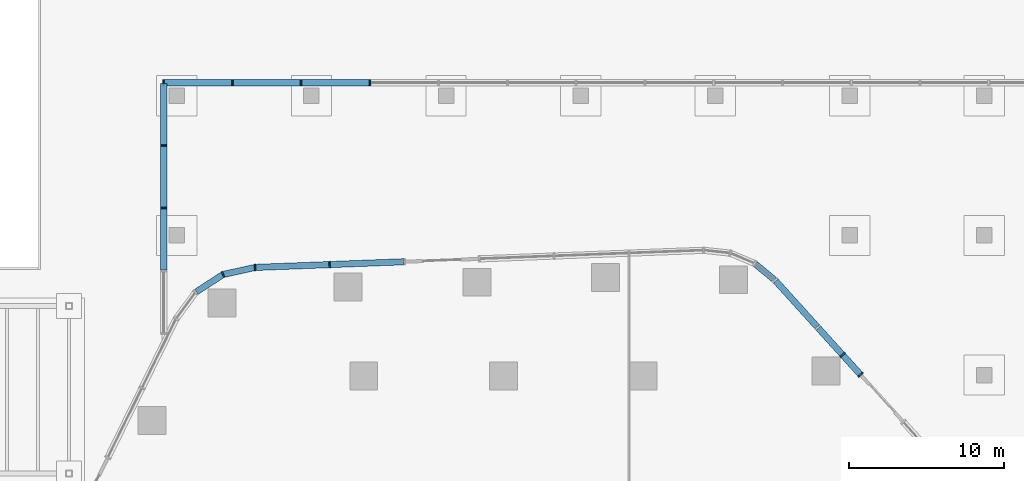
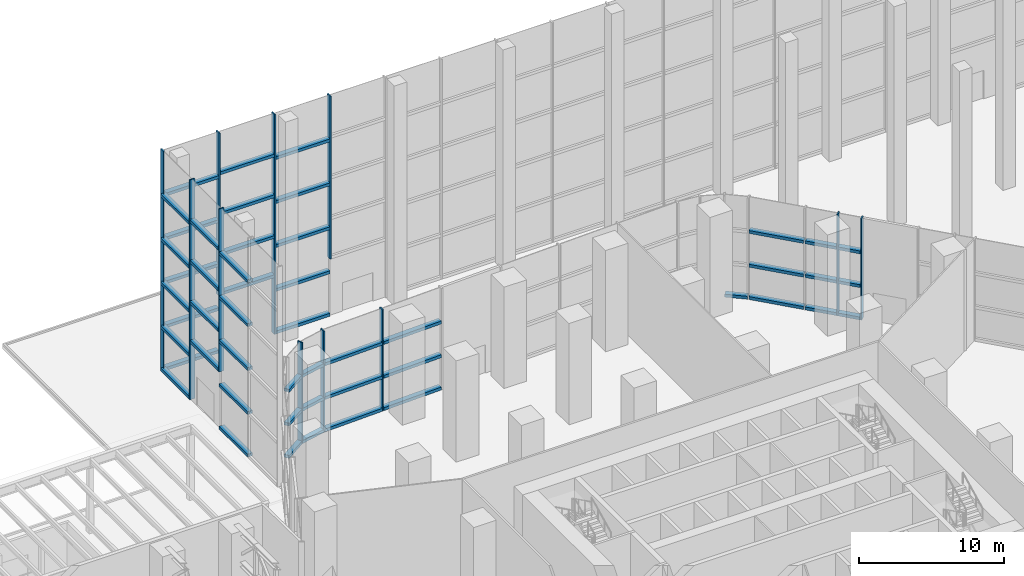
# One storey, part 16 of 40: 61 members, 12 elements without a shape of their own.
"""IFC4 building model written with IfcOpenShell, lengths in metres."""

from ifc_helpers import new_model, si_unit, direction, frame, origin, origin_2d, place, context, subcontext, project, spatial, rectangle, extrude, material, layer, layer_set, material_profile, profile_set, type_object, element, aggregate, save


model = new_model("IFC4")

# Units and contexts
model_context = context("Model", 3, precision=1e-05, world=origin(), true_north=direction((0.0, 1.0)))
body_context = subcontext(model_context, "Body", "Model", "MODEL_VIEW")
ifc_project = project(units=[si_unit("LENGTHUNIT", "METRE"), si_unit("AREAUNIT", "SQUARE_METRE"), si_unit("VOLUMEUNIT", "CUBIC_METRE"), si_unit("PLANEANGLEUNIT", "RADIAN"), si_unit("MASSUNIT", "GRAM", prefix="KILO")], contexts=[model_context])

# Site, building, storey
site_placement = place(None, origin())
site = spatial("IfcSite", under=ifc_project, at=site_placement, CompositionType="ELEMENT")
building_placement = place(site_placement, origin())
building = spatial("IfcBuilding", under=site, at=building_placement, Name="Dongbaek Canopy Tower", CompositionType="ELEMENT")
storey_placement = place(building_placement, origin())
storey = spatial("IfcBuildingStorey", under=building, at=storey_placement, Name="L00", CompositionType="ELEMENT", Elevation=0.0)

# Curtain wall, members
ifc_material_1 = material(Name="Aluminium 6063-T6 pale anodised", Category="aluminium")
ifc_layer = layer(ifc_material_1, 0.39990234375)
ifc_layer_set = layer_set([ifc_layer], Name="CW-3 lobby double-height curtain wall")
curtain_wall_type = type_object("IfcCurtainWallType", Name="CW-3 lobby double-height curtain wall", PredefinedType="NOTDEFINED", material=ifc_layer_set)
curtain_wall_1_placement = place(storey_placement, origin())
curtain_wall_1 = element("IfcCurtainWall", 1, at=curtain_wall_1_placement, inside=storey, type_object=curtain_wall_type, Name="CW-3 curtain wall F5.2a", PredefinedType="NOTDEFINED")
ifc_material_2 = material(Name="Aluminium 6063-T6 pale anodised", Category="aluminium")
ifc_material_profile_1 = material_profile(ifc_material_2, rectangle(XDim=0.39990234375, YDim=0.10009765625, at=origin_2d()), Name="CW-3 mullion 100 x 400")
ifc_profile_set_1 = profile_set([ifc_material_profile_1], Name="Aluminium 6063-T6 pale anodised")
member_type_1 = type_object("IfcMemberType", Name="CW-3 mullion 100 x 400", PredefinedType="MULLION", material=ifc_profile_set_1)
member_1_placement = place(storey_placement, frame((23.036376953125, 27.0673828125, 0.0), z_axis=(0.0, 0.0, 1.0), x_axis=(0.741222237121, 0.671259707711, 0.0)))
member_1 = element("IfcMember", 2, at=member_1_placement, type_object=member_type_1, Name="CW-3 mullion F5.2a.1", PredefinedType="MULLION", context=body_context, shape_type="SweptSolid", body=[
    extrude(rectangle(XDim=0.39990234375, YDim=0.10009765625, at=origin_2d()), origin(), (0.0, 0.0, 1.0), 8.550048828125),
])
member_2_placement = place(storey_placement, frame((21.87548828125, 28.349365234375, 0.0), z_axis=(0.0, 0.0, 1.0), x_axis=(0.741222237121, 0.671259707711, 0.0)))
member_2 = element("IfcMember", 3, at=member_2_placement, type_object=member_type_1, Name="CW-3 mullion F5.2a.2", PredefinedType="MULLION", context=body_context, shape_type="SweptSolid", body=[
    extrude(rectangle(XDim=0.39990234375, YDim=0.10009765625, at=origin_2d()), origin(), (0.0, 0.0, 1.0), 8.550048828125),
])

curtain_wall_2_placement = place(storey_placement, origin())
curtain_wall_2 = element("IfcCurtainWall", 4, at=curtain_wall_2_placement, inside=storey, type_object=curtain_wall_type, Name="CW-3 curtain wall F6.2", PredefinedType="NOTDEFINED")
member_3_placement = place(storey_placement, frame((-11.19677734375, 34.169677734375, 0.0), z_axis=(0.0, 0.0, 1.0), x_axis=(-0.038231975991, 0.999268890746, 0.0)))
member_3 = element("IfcMember", 5, at=member_3_placement, type_object=member_type_1, Name="CW-3 mullion F6.2.2", PredefinedType="MULLION", context=body_context, shape_type="SweptSolid", body=[
    extrude(rectangle(XDim=0.39990234375, YDim=0.10009765625, at=origin_2d()), origin(), (0.0, 0.0, 1.0), 8.550048828125),
])
member_4_placement = place(storey_placement, frame((-16.01171875, 33.9853515625, 0.0), z_axis=(0.0, 0.0, 1.0), x_axis=(-0.038231975991, 0.999268890746, 0.0)))
member_4 = element("IfcMember", 6, at=member_4_placement, type_object=member_type_1, Name="CW-3 mullion F6.2.3", PredefinedType="MULLION", context=body_context, shape_type="SweptSolid", body=[
    extrude(rectangle(XDim=0.39990234375, YDim=0.10009765625, at=origin_2d()), origin(), (0.0, 0.0, 1.0), 8.550048828125),
])

# Curtain wall, member
curtain_wall_3_placement = place(storey_placement, origin())
curtain_wall_3 = element("IfcCurtainWall", 7, at=curtain_wall_3_placement, inside=storey, type_object=curtain_wall_type, Name="CW-3 curtain wall K2.1", PredefinedType="NOTDEFINED")
member_5_placement = place(storey_placement, frame((-18.07421875, 33.529541015625, 0.0), z_axis=(0.0, 0.0, 1.0), x_axis=(-0.386403140373, 0.92232999144, 0.0)))
member_5 = element("IfcMember", 8, at=member_5_placement, type_object=member_type_1, Name="CW-3 mullion K2.1.2", PredefinedType="MULLION", context=body_context, shape_type="SweptSolid", body=[
    extrude(rectangle(XDim=0.39990234375, YDim=0.10009765625, at=origin_2d()), origin(), (0.0, 0.0, 1.0), 8.550048828125),
])

curtain_wall_4_placement = place(storey_placement, origin())
curtain_wall_4 = element("IfcCurtainWall", 9, at=curtain_wall_4_placement, inside=storey, type_object=curtain_wall_type, Name="CW-3 curtain wall HNN.15U", PredefinedType="NOTDEFINED")
member_6_placement = place(storey_placement, frame((-8.60009765625, 45.89990234375, 4.800048828125), z_axis=(0.0, 0.0, 1.0), x_axis=(0.0, 1.0, 0.0)))
member_6 = element("IfcMember", 10, at=member_6_placement, type_object=member_type_1, Name="CW-3 mullion HNN.15U.2", PredefinedType="MULLION", context=body_context, shape_type="SweptSolid", body=[
    extrude(rectangle(XDim=0.39990234375, YDim=0.10009765625, at=origin_2d()), origin(), (0.0, 0.0, 1.0), 13.75),
])
aggregate(curtain_wall_4, [member_6])

curtain_wall_5_placement = place(storey_placement, origin())
curtain_wall_5 = element("IfcCurtainWall", 11, at=curtain_wall_5_placement, inside=storey, type_object=curtain_wall_type, Name="CW-3 curtain wall HNN.4", PredefinedType="NOTDEFINED")
member_7_placement = place(storey_placement, frame((-13.033447265625, 45.89990234375, 0.0), z_axis=(0.0, 0.0, 1.0), x_axis=(0.0, 1.0, 0.0)))
member_7 = element("IfcMember", 12, at=member_7_placement, type_object=member_type_1, Name="CW-3 mullion HNN.4.2", PredefinedType="MULLION", context=body_context, shape_type="SweptSolid", body=[
    extrude(rectangle(XDim=0.39990234375, YDim=0.10009765625, at=origin_2d()), origin(), (0.0, 0.0, 1.0), 18.550048828125),
])

curtain_wall_6_placement = place(storey_placement, origin())
curtain_wall_6 = element("IfcCurtainWall", 13, at=curtain_wall_6_placement, inside=storey, type_object=curtain_wall_type, Name="CW-3 curtain wall HNN.17U", PredefinedType="NOTDEFINED")
member_8_placement = place(storey_placement, frame((-17.466552734375, 45.89990234375, 4.800048828125), z_axis=(0.0, 0.0, 1.0), x_axis=(0.0, 1.0, 0.0)))
member_8 = element("IfcMember", 14, at=member_8_placement, type_object=member_type_1, Name="CW-3 mullion HNN.17U.2", PredefinedType="MULLION", context=body_context, shape_type="SweptSolid", body=[
    extrude(rectangle(XDim=0.39990234375, YDim=0.10009765625, at=origin_2d()), origin(), (0.0, 0.0, 1.0), 13.75),
])

curtain_wall_7_placement = place(storey_placement, origin())
curtain_wall_7 = element("IfcCurtainWall", 15, at=curtain_wall_7_placement, inside=storey, type_object=curtain_wall_type, Name="CW-3 curtain wall HNN.5", PredefinedType="NOTDEFINED")
member_9_placement = place(storey_placement, frame((-21.89990234375, 45.89990234375, 0.0), z_axis=(0.0, 0.0, 1.0), x_axis=(0.0, 1.0, 0.0)))
member_9 = element("IfcMember", 16, at=member_9_placement, type_object=member_type_1, Name="CW-3 mullion HNN.5.2", PredefinedType="MULLION", context=body_context, shape_type="SweptSolid", body=[
    extrude(rectangle(XDim=0.39990234375, YDim=0.10009765625, at=origin_2d()), origin(), (0.0, 0.0, 1.0), 18.550048828125),
])

curtain_wall_8_placement = place(storey_placement, origin())
curtain_wall_8 = element("IfcCurtainWall", 17, at=curtain_wall_8_placement, inside=storey, type_object=curtain_wall_type, Name="CW-3 curtain wall HNW.1", PredefinedType="NOTDEFINED")
member_10_placement = place(storey_placement, frame((-21.89990234375, 41.856201171875, 0.0), z_axis=(0.0, 0.0, 1.0), x_axis=(-1.0, 0.0, 0.0)))
member_10 = element("IfcMember", 18, at=member_10_placement, type_object=member_type_1, Name="CW-3 mullion HNW.1.2", PredefinedType="MULLION", context=body_context, shape_type="SweptSolid", body=[
    extrude(rectangle(XDim=0.39990234375, YDim=0.10009765625, at=origin_2d()), origin(), (0.0, 0.0, 1.0), 18.550048828125),
])

curtain_wall_9_placement = place(storey_placement, origin())
curtain_wall_9 = element("IfcCurtainWall", 19, at=curtain_wall_9_placement, inside=storey, type_object=curtain_wall_type, Name="CW-3 curtain wall HNW.2U", PredefinedType="NOTDEFINED")
member_11_placement = place(storey_placement, frame((-21.89990234375, 37.8125, 4.800048828125), z_axis=(0.0, 0.0, 1.0), x_axis=(-1.0, 0.0, 0.0)))
member_11 = element("IfcMember", 20, at=member_11_placement, type_object=member_type_1, Name="CW-3 mullion HNW.2U.2", PredefinedType="MULLION", context=body_context, shape_type="SweptSolid", body=[
    extrude(rectangle(XDim=0.39990234375, YDim=0.10009765625, at=origin_2d()), origin(), (0.0, 0.0, 1.0), 13.75),
])

# Member
ifc_material_3 = material(Name="Aluminium 6063-T6 pale anodised", Category="aluminium")
ifc_material_profile_2 = material_profile(ifc_material_3, rectangle(XDim=0.39990234375, YDim=0.25, at=origin_2d()), Name="CW-3 transom 250 x 400")
ifc_profile_set_2 = profile_set([ifc_material_profile_2], Name="Aluminium 6063-T6 pale anodised")
member_type_2 = type_object("IfcMemberType", Name="CW-3 transom 250 x 400", PredefinedType="USERDEFINED", material=ifc_profile_set_2)
member_12_placement = place(storey_placement, frame((22.99462890625, 27.113525390625, 0.125), z_axis=(-0.671263668676, 0.741218650006, 0.0), x_axis=(-0.741218650006, -0.671263668676, 0.0)))
member_12 = element("IfcMember", 21, at=member_12_placement, type_object=member_type_2, Name="CW-3 transom F5.2a.1.1", ObjectType="TRANSOM", PredefinedType="USERDEFINED", context=body_context, shape_type="SweptSolid", body=[
    extrude(rectangle(XDim=0.39990234375, YDim=0.25, at=origin_2d()), origin(), (0.0, 0.0, 1.0), 1.60546875),
])

member_13_placement = place(storey_placement, frame((22.99462890625, 27.113525390625, 2.85009765625), z_axis=(-0.671263668676, 0.741218650006, 0.0), x_axis=(-0.741218650006, -0.671263668676, 0.0)))
member_13 = element("IfcMember", 22, at=member_13_placement, type_object=member_type_2, Name="CW-3 transom F5.2a.1.2", ObjectType="TRANSOM", PredefinedType="USERDEFINED", context=body_context, shape_type="SweptSolid", body=[
    extrude(rectangle(XDim=0.39990234375, YDim=0.25, at=origin_2d()), origin(), (0.0, 0.0, 1.0), 1.60546875),
])

member_14_placement = place(storey_placement, frame((22.99462890625, 27.113525390625, 5.699951171875), z_axis=(-0.671263668676, 0.741218650006, 0.0), x_axis=(-0.741218650006, -0.671263668676, 0.0)))
member_14 = element("IfcMember", 23, at=member_14_placement, type_object=member_type_2, Name="CW-3 transom F5.2a.1.3", ObjectType="TRANSOM", PredefinedType="USERDEFINED", context=body_context, shape_type="SweptSolid", body=[
    extrude(rectangle(XDim=0.39990234375, YDim=0.25, at=origin_2d()), origin(), (0.0, 0.0, 1.0), 1.60546875),
])

aggregate(curtain_wall_1, [member_1, member_2, member_12, member_13, member_14])

# Curtain wall, members
curtain_wall_10_placement = place(storey_placement, origin())
curtain_wall_10 = element("IfcCurtainWall", 24, at=curtain_wall_10_placement, inside=storey, type_object=curtain_wall_type, Name="CW-3 curtain wall F5.2b", PredefinedType="NOTDEFINED")
member_15_placement = place(storey_placement, frame((21.83203125, 28.3974609375, 0.125), z_axis=(-0.671273812961, 0.741209462995, 0.0), x_axis=(-0.741209462995, -0.671273812961, 0.0)))
member_15 = element("IfcMember", 25, at=member_15_placement, type_object=member_type_2, Name="CW-3 transom F5.2b.1.1", ObjectType="TRANSOM", PredefinedType="USERDEFINED", context=body_context, shape_type="SweptSolid", body=[
    extrude(rectangle(XDim=0.39990234375, YDim=0.25, at=origin_2d()), origin(), (0.0, 0.0, 1.0), 2.251708984375),
])
member_16_placement = place(storey_placement, frame((21.83203125, 28.3974609375, 2.85009765625), z_axis=(-0.671273812961, 0.741209462995, 0.0), x_axis=(-0.741209462995, -0.671273812961, 0.0)))
member_16 = element("IfcMember", 26, at=member_16_placement, type_object=member_type_2, Name="CW-3 transom F5.2b.1.2", ObjectType="TRANSOM", PredefinedType="USERDEFINED", context=body_context, shape_type="SweptSolid", body=[
    extrude(rectangle(XDim=0.39990234375, YDim=0.25, at=origin_2d()), origin(), (0.0, 0.0, 1.0), 2.251708984375),
])
member_17_placement = place(storey_placement, frame((21.83203125, 28.3974609375, 5.699951171875), z_axis=(-0.671273812961, 0.741209462995, 0.0), x_axis=(-0.741209462995, -0.671273812961, 0.0)))
member_17 = element("IfcMember", 27, at=member_17_placement, type_object=member_type_2, Name="CW-3 transom F5.2b.1.3", ObjectType="TRANSOM", PredefinedType="USERDEFINED", context=body_context, shape_type="SweptSolid", body=[
    extrude(rectangle(XDim=0.39990234375, YDim=0.25, at=origin_2d()), origin(), (0.0, 0.0, 1.0), 2.251708984375),
])
member_18_placement = place(storey_placement, frame((20.2373046875, 30.158203125, 0.125), z_axis=(-0.671278159845, 0.741205526231, 0.0), x_axis=(-0.741205526231, -0.671278159845, 0.0)))
member_18 = element("IfcMember", 28, at=member_18_placement, type_object=member_type_2, Name="CW-3 transom F5.2b.2.1", ObjectType="TRANSOM", PredefinedType="USERDEFINED", context=body_context, shape_type="SweptSolid", body=[
    extrude(rectangle(XDim=0.39990234375, YDim=0.25, at=origin_2d()), origin(), (0.0, 0.0, 1.0), 3.9765625),
])
member_19_placement = place(storey_placement, frame((20.2373046875, 30.158203125, 2.85009765625), z_axis=(-0.671278159845, 0.741205526231, 0.0), x_axis=(-0.741205526231, -0.671278159845, 0.0)))
member_19 = element("IfcMember", 29, at=member_19_placement, type_object=member_type_2, Name="CW-3 transom F5.2b.2.2", ObjectType="TRANSOM", PredefinedType="USERDEFINED", context=body_context, shape_type="SweptSolid", body=[
    extrude(rectangle(XDim=0.39990234375, YDim=0.25, at=origin_2d()), origin(), (0.0, 0.0, 1.0), 3.9765625),
])
member_20_placement = place(storey_placement, frame((20.2373046875, 30.158203125, 5.699951171875), z_axis=(-0.671278159845, 0.741205526231, 0.0), x_axis=(-0.741205526231, -0.671278159845, 0.0)))
member_20 = element("IfcMember", 30, at=member_20_placement, type_object=member_type_2, Name="CW-3 transom F5.2b.2.3", ObjectType="TRANSOM", PredefinedType="USERDEFINED", context=body_context, shape_type="SweptSolid", body=[
    extrude(rectangle(XDim=0.39990234375, YDim=0.25, at=origin_2d()), origin(), (0.0, 0.0, 1.0), 3.9765625),
])
aggregate(curtain_wall_10, [member_15, member_16, member_17, member_18, member_19, member_20])

# Curtain wall, member
curtain_wall_11_placement = place(storey_placement, origin())
curtain_wall_11 = element("IfcCurtainWall", 31, at=curtain_wall_11_placement, inside=storey, type_object=curtain_wall_type, Name="CW-3 curtain wall K1.1", PredefinedType="NOTDEFINED")
member_21_placement = place(storey_placement, frame((17.478515625, 33.191162109375, 0.125), z_axis=(-0.771687045079, 0.636002440606, 0.0), x_axis=(-0.636002440606, -0.771687045079, 0.0)))
member_21 = element("IfcMember", 32, at=member_21_placement, type_object=member_type_2, Name="CW-3 transom K1.1.1.1", ObjectType="TRANSOM", PredefinedType="USERDEFINED", context=body_context, shape_type="SweptSolid", body=[
    extrude(rectangle(XDim=0.39990234375, YDim=0.25, at=origin_2d()), origin(), (0.0, 0.0, 1.0), 1.59423828125),
])
aggregate(curtain_wall_11, [member_21])

# Member
member_22_placement = place(storey_placement, frame((-6.434814453125, 34.351806640625, 0.125), z_axis=(-0.999269965697, -0.038203869656, 0.0), x_axis=(0.038203869656, -0.999269965697, 0.0)))
member_22 = element("IfcMember", 33, at=member_22_placement, type_object=member_type_2, Name="CW-3 transom F6.2.1.1", ObjectType="TRANSOM", PredefinedType="USERDEFINED", context=body_context, shape_type="SweptSolid", body=[
    extrude(rectangle(XDim=0.39990234375, YDim=0.25, at=origin_2d()), origin(), (0.0, 0.0, 1.0), 4.703369140625),
])

member_23_placement = place(storey_placement, frame((-6.434814453125, 34.351806640625, 2.85009765625), z_axis=(-0.999269965697, -0.038203869656, 0.0), x_axis=(0.038203869656, -0.999269965697, 0.0)))
member_23 = element("IfcMember", 34, at=member_23_placement, type_object=member_type_2, Name="CW-3 transom F6.2.1.2", ObjectType="TRANSOM", PredefinedType="USERDEFINED", context=body_context, shape_type="SweptSolid", body=[
    extrude(rectangle(XDim=0.39990234375, YDim=0.25, at=origin_2d()), origin(), (0.0, 0.0, 1.0), 4.703369140625),
])

member_24_placement = place(storey_placement, frame((-6.434814453125, 34.351806640625, 5.699951171875), z_axis=(-0.999269965697, -0.038203869656, 0.0), x_axis=(0.038203869656, -0.999269965697, 0.0)))
member_24 = element("IfcMember", 35, at=member_24_placement, type_object=member_type_2, Name="CW-3 transom F6.2.1.3", ObjectType="TRANSOM", PredefinedType="USERDEFINED", context=body_context, shape_type="SweptSolid", body=[
    extrude(rectangle(XDim=0.39990234375, YDim=0.25, at=origin_2d()), origin(), (0.0, 0.0, 1.0), 4.703369140625),
])

member_25_placement = place(storey_placement, frame((-11.2587890625, 34.167236328125, 0.125), z_axis=(-0.999269142353, -0.038225399169, 0.0), x_axis=(0.038225399169, -0.999269142353, 0.0)))
member_25 = element("IfcMember", 36, at=member_25_placement, type_object=member_type_2, Name="CW-3 transom F6.2.2.1", ObjectType="TRANSOM", PredefinedType="USERDEFINED", context=body_context, shape_type="SweptSolid", body=[
    extrude(rectangle(XDim=0.39990234375, YDim=0.25, at=origin_2d()), origin(), (0.0, 0.0, 1.0), 4.6943359375),
])

member_26_placement = place(storey_placement, frame((-11.2587890625, 34.167236328125, 2.85009765625), z_axis=(-0.999269142353, -0.038225399169, 0.0), x_axis=(0.038225399169, -0.999269142353, 0.0)))
member_26 = element("IfcMember", 37, at=member_26_placement, type_object=member_type_2, Name="CW-3 transom F6.2.2.2", ObjectType="TRANSOM", PredefinedType="USERDEFINED", context=body_context, shape_type="SweptSolid", body=[
    extrude(rectangle(XDim=0.39990234375, YDim=0.25, at=origin_2d()), origin(), (0.0, 0.0, 1.0), 4.6943359375),
])

member_27_placement = place(storey_placement, frame((-11.2587890625, 34.167236328125, 5.699951171875), z_axis=(-0.999269142353, -0.038225399169, 0.0), x_axis=(0.038225399169, -0.999269142353, 0.0)))
member_27 = element("IfcMember", 38, at=member_27_placement, type_object=member_type_2, Name="CW-3 transom F6.2.2.3", ObjectType="TRANSOM", PredefinedType="USERDEFINED", context=body_context, shape_type="SweptSolid", body=[
    extrude(rectangle(XDim=0.39990234375, YDim=0.25, at=origin_2d()), origin(), (0.0, 0.0, 1.0), 4.6943359375),
])

aggregate(curtain_wall_2, [member_3, member_4, member_22, member_23, member_24, member_25, member_26, member_27])

member_28_placement = place(storey_placement, frame((-16.072265625, 33.971923828125, 0.125), z_axis=(-0.976449264495, -0.21574715263, 0.0), x_axis=(0.21574715263, -0.976449264495, 0.0)))
member_28 = element("IfcMember", 39, at=member_28_placement, type_object=member_type_2, Name="CW-3 transom K2.1.1.1", ObjectType="TRANSOM", PredefinedType="USERDEFINED", context=body_context, shape_type="SweptSolid", body=[
    extrude(rectangle(XDim=0.39990234375, YDim=0.25, at=origin_2d()), origin(), (0.0, 0.0, 1.0), 1.98828125),
])

member_29_placement = place(storey_placement, frame((-16.072265625, 33.971923828125, 2.85009765625), z_axis=(-0.976449264495, -0.21574715263, 0.0), x_axis=(0.21574715263, -0.976449264495, 0.0)))
member_29 = element("IfcMember", 40, at=member_29_placement, type_object=member_type_2, Name="CW-3 transom K2.1.1.2", ObjectType="TRANSOM", PredefinedType="USERDEFINED", context=body_context, shape_type="SweptSolid", body=[
    extrude(rectangle(XDim=0.39990234375, YDim=0.25, at=origin_2d()), origin(), (0.0, 0.0, 1.0), 1.98828125),
])

member_30_placement = place(storey_placement, frame((-16.072265625, 33.971923828125, 5.699951171875), z_axis=(-0.976449264495, -0.21574715263, 0.0), x_axis=(0.21574715263, -0.976449264495, 0.0)))
member_30 = element("IfcMember", 41, at=member_30_placement, type_object=member_type_2, Name="CW-3 transom K2.1.1.3", ObjectType="TRANSOM", PredefinedType="USERDEFINED", context=body_context, shape_type="SweptSolid", body=[
    extrude(rectangle(XDim=0.39990234375, YDim=0.25, at=origin_2d()), origin(), (0.0, 0.0, 1.0), 1.98828125),
])

member_31_placement = place(storey_placement, frame((-18.126220703125, 33.495849609375, 0.125), z_axis=(-0.838688723335, -0.544611077147, 0.0), x_axis=(0.544611077147, -0.838688723335, 0.0)))
member_31 = element("IfcMember", 42, at=member_31_placement, type_object=member_type_2, Name="CW-3 transom K2.1.2.1", ObjectType="TRANSOM", PredefinedType="USERDEFINED", context=body_context, shape_type="SweptSolid", body=[
    extrude(rectangle(XDim=0.39990234375, YDim=0.25, at=origin_2d()), origin(), (0.0, 0.0, 1.0), 1.979248046875),
])

member_32_placement = place(storey_placement, frame((-18.126220703125, 33.495849609375, 2.85009765625), z_axis=(-0.838688723335, -0.544611077147, 0.0), x_axis=(0.544611077147, -0.838688723335, 0.0)))
member_32 = element("IfcMember", 43, at=member_32_placement, type_object=member_type_2, Name="CW-3 transom K2.1.2.2", ObjectType="TRANSOM", PredefinedType="USERDEFINED", context=body_context, shape_type="SweptSolid", body=[
    extrude(rectangle(XDim=0.39990234375, YDim=0.25, at=origin_2d()), origin(), (0.0, 0.0, 1.0), 1.979248046875),
])

member_33_placement = place(storey_placement, frame((-18.126220703125, 33.495849609375, 5.699951171875), z_axis=(-0.838688723335, -0.544611077147, 0.0), x_axis=(0.544611077147, -0.838688723335, 0.0)))
member_33 = element("IfcMember", 44, at=member_33_placement, type_object=member_type_2, Name="CW-3 transom K2.1.2.3", ObjectType="TRANSOM", PredefinedType="USERDEFINED", context=body_context, shape_type="SweptSolid", body=[
    extrude(rectangle(XDim=0.39990234375, YDim=0.25, at=origin_2d()), origin(), (0.0, 0.0, 1.0), 1.979248046875),
])

aggregate(curtain_wall_3, [member_5, member_28, member_29, member_30, member_31, member_32, member_33])

member_34_placement = place(storey_placement, frame((-8.662109375, 45.89990234375, 0.125), z_axis=(-1.0, 0.0, 0.0), x_axis=(0.0, -1.0, 0.0)))
member_34 = element("IfcMember", 45, at=member_34_placement, type_object=member_type_2, Name="CW-3 transom HNN.4.1.1", ObjectType="TRANSOM", PredefinedType="USERDEFINED", context=body_context, shape_type="SweptSolid", body=[
    extrude(rectangle(XDim=0.39990234375, YDim=0.25, at=origin_2d()), origin(), (0.0, 0.0, 1.0), 4.309326171875),
])

member_35_placement = place(storey_placement, frame((-8.662109375, 45.89990234375, 3.7099609375), z_axis=(-1.0, 0.0, 0.0), x_axis=(0.0, -1.0, 0.0)))
member_35 = element("IfcMember", 46, at=member_35_placement, type_object=member_type_2, Name="CW-3 transom HNN.4.1.2", ObjectType="TRANSOM", PredefinedType="USERDEFINED", context=body_context, shape_type="SweptSolid", body=[
    extrude(rectangle(XDim=0.39990234375, YDim=0.25, at=origin_2d()), origin(), (0.0, 0.0, 1.0), 4.309326171875),
])

member_36_placement = place(storey_placement, frame((-8.662109375, 45.89990234375, 7.419921875), z_axis=(-1.0, 0.0, 0.0), x_axis=(0.0, -1.0, 0.0)))
member_36 = element("IfcMember", 47, at=member_36_placement, type_object=member_type_2, Name="CW-3 transom HNN.4.1.3", ObjectType="TRANSOM", PredefinedType="USERDEFINED", context=body_context, shape_type="SweptSolid", body=[
    extrude(rectangle(XDim=0.39990234375, YDim=0.25, at=origin_2d()), origin(), (0.0, 0.0, 1.0), 4.309326171875),
])

member_37_placement = place(storey_placement, frame((-8.662109375, 45.89990234375, 11.1298828125), z_axis=(-1.0, 0.0, 0.0), x_axis=(0.0, -1.0, 0.0)))
member_37 = element("IfcMember", 48, at=member_37_placement, type_object=member_type_2, Name="CW-3 transom HNN.4.1.4", ObjectType="TRANSOM", PredefinedType="USERDEFINED", context=body_context, shape_type="SweptSolid", body=[
    extrude(rectangle(XDim=0.39990234375, YDim=0.25, at=origin_2d()), origin(), (0.0, 0.0, 1.0), 4.309326171875),
])

member_38_placement = place(storey_placement, frame((-8.662109375, 45.89990234375, 14.840087890625), z_axis=(-1.0, 0.0, 0.0), x_axis=(0.0, -1.0, 0.0)))
member_38 = element("IfcMember", 49, at=member_38_placement, type_object=member_type_2, Name="CW-3 transom HNN.4.1.5", ObjectType="TRANSOM", PredefinedType="USERDEFINED", context=body_context, shape_type="SweptSolid", body=[
    extrude(rectangle(XDim=0.39990234375, YDim=0.25, at=origin_2d()), origin(), (0.0, 0.0, 1.0), 4.309326171875),
])

aggregate(curtain_wall_5, [member_7, member_34, member_35, member_36, member_37, member_38])

member_39_placement = place(storey_placement, frame((-13.09521484375, 45.89990234375, 4.925048828125), z_axis=(-1.0, 0.0, 0.0), x_axis=(0.0, -1.0, 0.0)))
member_39 = element("IfcMember", 50, at=member_39_placement, type_object=member_type_2, Name="CW-3 transom HNN.17U.1.1", ObjectType="TRANSOM", PredefinedType="USERDEFINED", context=body_context, shape_type="SweptSolid", body=[
    extrude(rectangle(XDim=0.39990234375, YDim=0.25, at=origin_2d()), origin(), (0.0, 0.0, 1.0), 4.3095703125),
])

member_40_placement = place(storey_placement, frame((-13.09521484375, 45.89990234375, 8.237548828125), z_axis=(-1.0, 0.0, 0.0), x_axis=(0.0, -1.0, 0.0)))
member_40 = element("IfcMember", 51, at=member_40_placement, type_object=member_type_2, Name="CW-3 transom HNN.17U.1.2", ObjectType="TRANSOM", PredefinedType="USERDEFINED", context=body_context, shape_type="SweptSolid", body=[
    extrude(rectangle(XDim=0.39990234375, YDim=0.25, at=origin_2d()), origin(), (0.0, 0.0, 1.0), 4.3095703125),
])

member_41_placement = place(storey_placement, frame((-13.09521484375, 45.89990234375, 11.675048828125), z_axis=(-1.0, 0.0, 0.0), x_axis=(0.0, -1.0, 0.0)))
member_41 = element("IfcMember", 52, at=member_41_placement, type_object=member_type_2, Name="CW-3 transom HNN.17U.1.3", ObjectType="TRANSOM", PredefinedType="USERDEFINED", context=body_context, shape_type="SweptSolid", body=[
    extrude(rectangle(XDim=0.39990234375, YDim=0.25, at=origin_2d()), origin(), (0.0, 0.0, 1.0), 4.3095703125),
])

member_42_placement = place(storey_placement, frame((-13.09521484375, 45.89990234375, 15.112548828125), z_axis=(-1.0, 0.0, 0.0), x_axis=(0.0, -1.0, 0.0)))
member_42 = element("IfcMember", 53, at=member_42_placement, type_object=member_type_2, Name="CW-3 transom HNN.17U.1.4", ObjectType="TRANSOM", PredefinedType="USERDEFINED", context=body_context, shape_type="SweptSolid", body=[
    extrude(rectangle(XDim=0.39990234375, YDim=0.25, at=origin_2d()), origin(), (0.0, 0.0, 1.0), 4.3095703125),
])

aggregate(curtain_wall_6, [member_8, member_39, member_40, member_41, member_42])

member_43_placement = place(storey_placement, frame((-17.528564453125, 45.89990234375, 0.125), z_axis=(-1.0, 0.0, 0.0), x_axis=(0.0, -1.0, 0.0)))
member_43 = element("IfcMember", 54, at=member_43_placement, type_object=member_type_2, Name="CW-3 transom HNN.5.1.1", ObjectType="TRANSOM", PredefinedType="USERDEFINED", context=body_context, shape_type="SweptSolid", body=[
    extrude(rectangle(XDim=0.39990234375, YDim=0.25, at=origin_2d()), origin(), (0.0, 0.0, 1.0), 4.309326171875),
])

member_44_placement = place(storey_placement, frame((-17.528564453125, 45.89990234375, 3.7099609375), z_axis=(-1.0, 0.0, 0.0), x_axis=(0.0, -1.0, 0.0)))
member_44 = element("IfcMember", 55, at=member_44_placement, type_object=member_type_2, Name="CW-3 transom HNN.5.1.2", ObjectType="TRANSOM", PredefinedType="USERDEFINED", context=body_context, shape_type="SweptSolid", body=[
    extrude(rectangle(XDim=0.39990234375, YDim=0.25, at=origin_2d()), origin(), (0.0, 0.0, 1.0), 4.309326171875),
])

member_45_placement = place(storey_placement, frame((-17.528564453125, 45.89990234375, 7.419921875), z_axis=(-1.0, 0.0, 0.0), x_axis=(0.0, -1.0, 0.0)))
member_45 = element("IfcMember", 56, at=member_45_placement, type_object=member_type_2, Name="CW-3 transom HNN.5.1.3", ObjectType="TRANSOM", PredefinedType="USERDEFINED", context=body_context, shape_type="SweptSolid", body=[
    extrude(rectangle(XDim=0.39990234375, YDim=0.25, at=origin_2d()), origin(), (0.0, 0.0, 1.0), 4.309326171875),
])

member_46_placement = place(storey_placement, frame((-17.528564453125, 45.89990234375, 11.1298828125), z_axis=(-1.0, 0.0, 0.0), x_axis=(0.0, -1.0, 0.0)))
member_46 = element("IfcMember", 57, at=member_46_placement, type_object=member_type_2, Name="CW-3 transom HNN.5.1.4", ObjectType="TRANSOM", PredefinedType="USERDEFINED", context=body_context, shape_type="SweptSolid", body=[
    extrude(rectangle(XDim=0.39990234375, YDim=0.25, at=origin_2d()), origin(), (0.0, 0.0, 1.0), 4.309326171875),
])

member_47_placement = place(storey_placement, frame((-17.528564453125, 45.89990234375, 14.840087890625), z_axis=(-1.0, 0.0, 0.0), x_axis=(0.0, -1.0, 0.0)))
member_47 = element("IfcMember", 58, at=member_47_placement, type_object=member_type_2, Name="CW-3 transom HNN.5.1.5", ObjectType="TRANSOM", PredefinedType="USERDEFINED", context=body_context, shape_type="SweptSolid", body=[
    extrude(rectangle(XDim=0.39990234375, YDim=0.25, at=origin_2d()), origin(), (0.0, 0.0, 1.0), 4.309326171875),
])

aggregate(curtain_wall_7, [member_9, member_43, member_44, member_45, member_46, member_47])

member_48_placement = place(storey_placement, frame((-21.89990234375, 45.837890625, 0.125), z_axis=(0.0, -1.0, 0.0), x_axis=(1.0, 0.0, 0.0)))
member_48 = element("IfcMember", 59, at=member_48_placement, type_object=member_type_2, Name="CW-3 transom HNW.1.1.1", ObjectType="TRANSOM", PredefinedType="USERDEFINED", context=body_context, shape_type="SweptSolid", body=[
    extrude(rectangle(XDim=0.39990234375, YDim=0.25, at=origin_2d()), origin(), (0.0, 0.0, 1.0), 3.919677734375),
])

member_49_placement = place(storey_placement, frame((-21.89990234375, 45.837890625, 3.7099609375), z_axis=(0.0, -1.0, 0.0), x_axis=(1.0, 0.0, 0.0)))
member_49 = element("IfcMember", 60, at=member_49_placement, type_object=member_type_2, Name="CW-3 transom HNW.1.1.2", ObjectType="TRANSOM", PredefinedType="USERDEFINED", context=body_context, shape_type="SweptSolid", body=[
    extrude(rectangle(XDim=0.39990234375, YDim=0.25, at=origin_2d()), origin(), (0.0, 0.0, 1.0), 3.919677734375),
])

member_50_placement = place(storey_placement, frame((-21.89990234375, 45.837890625, 7.419921875), z_axis=(0.0, -1.0, 0.0), x_axis=(1.0, 0.0, 0.0)))
member_50 = element("IfcMember", 61, at=member_50_placement, type_object=member_type_2, Name="CW-3 transom HNW.1.1.3", ObjectType="TRANSOM", PredefinedType="USERDEFINED", context=body_context, shape_type="SweptSolid", body=[
    extrude(rectangle(XDim=0.39990234375, YDim=0.25, at=origin_2d()), origin(), (0.0, 0.0, 1.0), 3.919677734375),
])

member_51_placement = place(storey_placement, frame((-21.89990234375, 45.837890625, 11.1298828125), z_axis=(0.0, -1.0, 0.0), x_axis=(1.0, 0.0, 0.0)))
member_51 = element("IfcMember", 62, at=member_51_placement, type_object=member_type_2, Name="CW-3 transom HNW.1.1.4", ObjectType="TRANSOM", PredefinedType="USERDEFINED", context=body_context, shape_type="SweptSolid", body=[
    extrude(rectangle(XDim=0.39990234375, YDim=0.25, at=origin_2d()), origin(), (0.0, 0.0, 1.0), 3.919677734375),
])

member_52_placement = place(storey_placement, frame((-21.89990234375, 45.837890625, 14.840087890625), z_axis=(0.0, -1.0, 0.0), x_axis=(1.0, 0.0, 0.0)))
member_52 = element("IfcMember", 63, at=member_52_placement, type_object=member_type_2, Name="CW-3 transom HNW.1.1.5", ObjectType="TRANSOM", PredefinedType="USERDEFINED", context=body_context, shape_type="SweptSolid", body=[
    extrude(rectangle(XDim=0.39990234375, YDim=0.25, at=origin_2d()), origin(), (0.0, 0.0, 1.0), 3.919677734375),
])

aggregate(curtain_wall_8, [member_10, member_48, member_49, member_50, member_51, member_52])

member_53_placement = place(storey_placement, frame((-21.89990234375, 41.794189453125, 4.925048828125), z_axis=(0.0, -1.0, 0.0), x_axis=(1.0, 0.0, 0.0)))
member_53 = element("IfcMember", 64, at=member_53_placement, type_object=member_type_2, Name="CW-3 transom HNW.2U.1.1", ObjectType="TRANSOM", PredefinedType="USERDEFINED", context=body_context, shape_type="SweptSolid", body=[
    extrude(rectangle(XDim=0.39990234375, YDim=0.25, at=origin_2d()), origin(), (0.0, 0.0, 1.0), 3.919677734375),
])

member_54_placement = place(storey_placement, frame((-21.89990234375, 41.794189453125, 8.237548828125), z_axis=(0.0, -1.0, 0.0), x_axis=(1.0, 0.0, 0.0)))
member_54 = element("IfcMember", 65, at=member_54_placement, type_object=member_type_2, Name="CW-3 transom HNW.2U.1.2", ObjectType="TRANSOM", PredefinedType="USERDEFINED", context=body_context, shape_type="SweptSolid", body=[
    extrude(rectangle(XDim=0.39990234375, YDim=0.25, at=origin_2d()), origin(), (0.0, 0.0, 1.0), 3.919677734375),
])

member_55_placement = place(storey_placement, frame((-21.89990234375, 41.794189453125, 11.675048828125), z_axis=(0.0, -1.0, 0.0), x_axis=(1.0, 0.0, 0.0)))
member_55 = element("IfcMember", 66, at=member_55_placement, type_object=member_type_2, Name="CW-3 transom HNW.2U.1.3", ObjectType="TRANSOM", PredefinedType="USERDEFINED", context=body_context, shape_type="SweptSolid", body=[
    extrude(rectangle(XDim=0.39990234375, YDim=0.25, at=origin_2d()), origin(), (0.0, 0.0, 1.0), 3.919677734375),
])

member_56_placement = place(storey_placement, frame((-21.89990234375, 41.794189453125, 15.112548828125), z_axis=(0.0, -1.0, 0.0), x_axis=(1.0, 0.0, 0.0)))
member_56 = element("IfcMember", 67, at=member_56_placement, type_object=member_type_2, Name="CW-3 transom HNW.2U.1.4", ObjectType="TRANSOM", PredefinedType="USERDEFINED", context=body_context, shape_type="SweptSolid", body=[
    extrude(rectangle(XDim=0.39990234375, YDim=0.25, at=origin_2d()), origin(), (0.0, 0.0, 1.0), 3.919677734375),
])

aggregate(curtain_wall_9, [member_11, member_53, member_54, member_55, member_56])

# Curtain wall, members
curtain_wall_12_placement = place(storey_placement, origin())
curtain_wall_12 = element("IfcCurtainWall", 68, at=curtain_wall_12_placement, inside=storey, type_object=curtain_wall_type, Name="CW-3 curtain wall HNW.2", PredefinedType="NOTDEFINED")
member_57_placement = place(storey_placement, frame((-21.89990234375, 37.75048828125, 0.125), z_axis=(0.0, -1.0, 0.0), x_axis=(1.0, 0.0, 0.0)))
member_57 = element("IfcMember", 69, at=member_57_placement, type_object=member_type_2, Name="CW-3 transom HNW.2.1.1", ObjectType="TRANSOM", PredefinedType="USERDEFINED", context=body_context, shape_type="SweptSolid", body=[
    extrude(rectangle(XDim=0.39990234375, YDim=0.25, at=origin_2d()), origin(), (0.0, 0.0, 1.0), 3.919677734375),
])
member_58_placement = place(storey_placement, frame((-21.89990234375, 37.75048828125, 3.7099609375), z_axis=(0.0, -1.0, 0.0), x_axis=(1.0, 0.0, 0.0)))
member_58 = element("IfcMember", 70, at=member_58_placement, type_object=member_type_2, Name="CW-3 transom HNW.2.1.2", ObjectType="TRANSOM", PredefinedType="USERDEFINED", context=body_context, shape_type="SweptSolid", body=[
    extrude(rectangle(XDim=0.39990234375, YDim=0.25, at=origin_2d()), origin(), (0.0, 0.0, 1.0), 3.919677734375),
])
member_59_placement = place(storey_placement, frame((-21.89990234375, 37.75048828125, 7.419921875), z_axis=(0.0, -1.0, 0.0), x_axis=(1.0, 0.0, 0.0)))
member_59 = element("IfcMember", 71, at=member_59_placement, type_object=member_type_2, Name="CW-3 transom HNW.2.1.3", ObjectType="TRANSOM", PredefinedType="USERDEFINED", context=body_context, shape_type="SweptSolid", body=[
    extrude(rectangle(XDim=0.39990234375, YDim=0.25, at=origin_2d()), origin(), (0.0, 0.0, 1.0), 3.919677734375),
])
member_60_placement = place(storey_placement, frame((-21.89990234375, 37.75048828125, 11.1298828125), z_axis=(0.0, -1.0, 0.0), x_axis=(1.0, 0.0, 0.0)))
member_60 = element("IfcMember", 72, at=member_60_placement, type_object=member_type_2, Name="CW-3 transom HNW.2.1.4", ObjectType="TRANSOM", PredefinedType="USERDEFINED", context=body_context, shape_type="SweptSolid", body=[
    extrude(rectangle(XDim=0.39990234375, YDim=0.25, at=origin_2d()), origin(), (0.0, 0.0, 1.0), 3.919677734375),
])
member_61_placement = place(storey_placement, frame((-21.89990234375, 37.75048828125, 14.840087890625), z_axis=(0.0, -1.0, 0.0), x_axis=(1.0, 0.0, 0.0)))
member_61 = element("IfcMember", 73, at=member_61_placement, type_object=member_type_2, Name="CW-3 transom HNW.2.1.5", ObjectType="TRANSOM", PredefinedType="USERDEFINED", context=body_context, shape_type="SweptSolid", body=[
    extrude(rectangle(XDim=0.39990234375, YDim=0.25, at=origin_2d()), origin(), (0.0, 0.0, 1.0), 3.919677734375),
])
aggregate(curtain_wall_12, [member_57, member_58, member_59, member_60, member_61])

save(model, "model.ifc")
